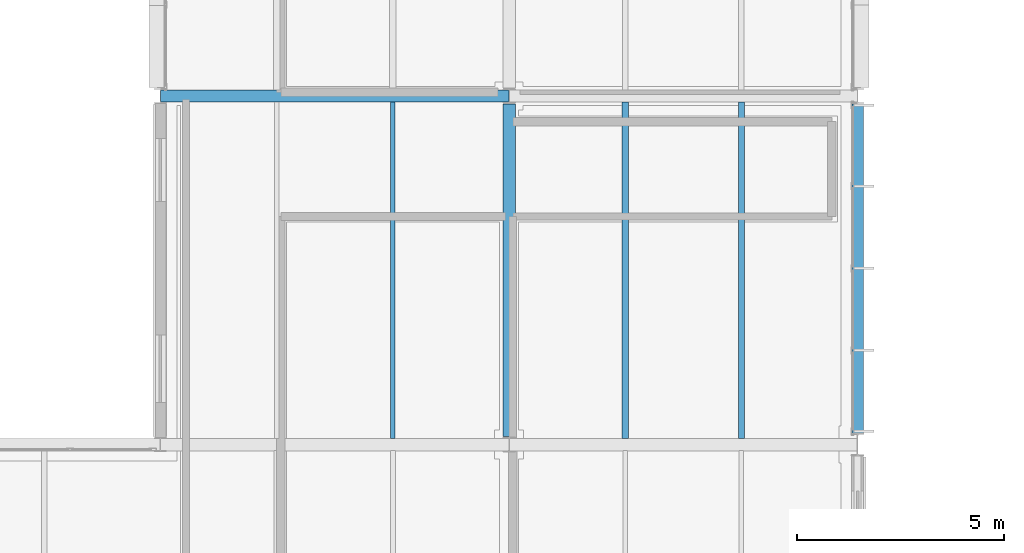
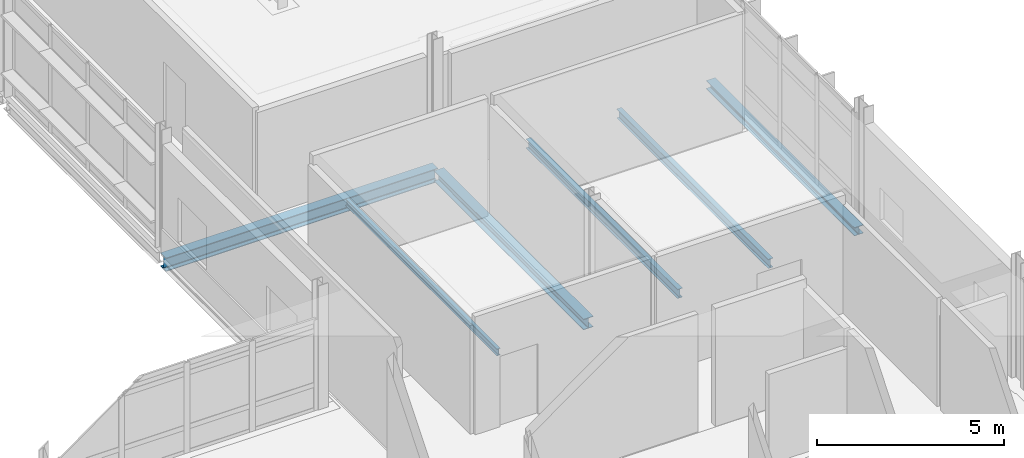
# One storey, part 71 of 131: 6 beams.
"""IFC4 building model written with IfcOpenShell, lengths in metres."""

from ifc_helpers import new_model, si_unit, direction, frame, origin, origin_2d, place, context, subcontext, project, spatial, i_section, extrude, material, material_profile, profile_set, type_object, element, save


model = new_model("IFC4")

# Units and contexts
model_context = context("Model", 3, precision=1e-05, world=origin(), true_north=direction((0.0, 1.0)))
body_context = subcontext(model_context, "Body", "Model", "MODEL_VIEW")
ifc_project = project(units=[si_unit("LENGTHUNIT", "METRE"), si_unit("AREAUNIT", "SQUARE_METRE"), si_unit("VOLUMEUNIT", "CUBIC_METRE"), si_unit("PLANEANGLEUNIT", "RADIAN"), si_unit("MASSUNIT", "GRAM", prefix="KILO")], contexts=[model_context])

# Site, building, storey
site_placement = place(None, origin())
site = spatial("IfcSite", under=ifc_project, at=site_placement, CompositionType="ELEMENT")
building_placement = place(site_placement, origin())
building = spatial("IfcBuilding", under=site, at=building_placement, Name="Mersafa Astral City Hall", CompositionType="ELEMENT")
storey_placement = place(building_placement, frame((0.0, 0.0, 13.949951171875)))
storey = spatial("IfcBuildingStorey", under=building, at=storey_placement, Name="L03", CompositionType="ELEMENT", Elevation=13.949951171875)

# Beams
ifc_material = material(Name="Steel S355", Category="steel")
ifc_material_profile_1 = material_profile(ifc_material, i_section(OverallWidth=0.300048828125, OverallDepth=0.35009765625, WebThickness=0.010009765625, FlangeThickness=0.017578125, FilletRadius=0.027099609375, at=origin_2d()), Name="HEA 360")
ifc_profile_set_1 = profile_set([ifc_material_profile_1], Name="Steel S355")
beam_type_1 = type_object("IfcBeamType", Name="STR-BM-HEA360", PredefinedType="BEAM", material=ifc_profile_set_1)
beam_1_placement = place(storey_placement, frame((109.199951171875, 92.594970703125, -0.375), z_axis=(0.0, 1.0, 0.0), x_axis=(-1.0, 0.0, 0.0)))
element("IfcBeam", 1, at=beam_1_placement, inside=storey, type_object=beam_type_1, Name="L03 Primary girder Y 13-11", PredefinedType="BEAM", context=body_context, shape_type="SweptSolid", body=[
    extrude(i_section(OverallWidth=0.300048828125, OverallDepth=0.35009765625, WebThickness=0.010009765625, FlangeThickness=0.017578125, FilletRadius=0.027099609375, at=origin_2d()), origin(), (0.0, 0.0, 1.0), 8.010009765625),
])
ifc_material_profile_2 = material_profile(ifc_material, i_section(OverallWidth=0.300048828125, OverallDepth=0.43994140625, WebThickness=0.011474609375, FlangeThickness=0.02099609375, FilletRadius=0.027099609375, at=origin_2d()), Name="HEA 450")
ifc_profile_set_2 = profile_set([ifc_material_profile_2], Name="Steel S355")
beam_type_2 = type_object("IfcBeamType", Name="STR-BM-HEA450", PredefinedType="BEAM", material=ifc_profile_set_2)
beam_2_placement = place(storey_placement, frame((100.802978515625, 100.800048828125, -0.419921875), z_axis=(1.0, 0.0, 0.0), x_axis=(0.0, 1.0, 0.0)))
element("IfcBeam", 2, at=beam_2_placement, inside=storey, type_object=beam_type_2, Name="L03 Primary girder X 12-12", PredefinedType="BEAM", context=body_context, shape_type="SweptSolid", body=[
    extrude(i_section(OverallWidth=0.300048828125, OverallDepth=0.43994140625, WebThickness=0.011474609375, FlangeThickness=0.02099609375, FilletRadius=0.027099609375, at=origin_2d()), origin(), (0.0, 0.0, 1.0), 8.39404296875),
])
ifc_material_profile_3 = material_profile(ifc_material, i_section(OverallWidth=0.110107421875, OverallDepth=0.219970703125, WebThickness=0.005859375, FlangeThickness=0.00927734375, FilletRadius=0.011962890625, at=origin_2d()), Name="IPE 220")
ifc_profile_set_3 = profile_set([ifc_material_profile_3], Name="Steel S355")
beam_type_3 = type_object("IfcBeamType", Name="STR-BM-JOIST-IPE220", PredefinedType="JOIST", material=ifc_profile_set_3)
beam_3_placement = place(storey_placement, frame((106.39990234375, 92.544921875, -0.31005859375), z_axis=(0.0, 1.0, 0.0), x_axis=(-1.0, 0.0, 0.0)))
element("IfcBeam", 3, at=beam_3_placement, inside=storey, type_object=beam_type_3, Name="L03 Composite secondary floor joist 599", PredefinedType="JOIST", context=body_context, shape_type="SweptSolid", body=[
    extrude(i_section(OverallWidth=0.110107421875, OverallDepth=0.219970703125, WebThickness=0.005859375, FlangeThickness=0.00927734375, FilletRadius=0.011962890625, at=origin_2d()), origin(), (0.0, 0.0, 1.0), 8.110107421875),
])
ifc_material_profile_4 = material_profile(ifc_material, i_section(OverallWidth=0.14990234375, OverallDepth=0.300048828125, WebThickness=0.007080078125, FlangeThickness=0.0107421875, FilletRadius=0.014892578125, at=origin_2d()), Name="IPE 300")
ifc_profile_set_4 = profile_set([ifc_material_profile_4], Name="Steel S355")
beam_type_4 = type_object("IfcBeamType", Name="STR-BM-JOIST-IPE300", PredefinedType="JOIST", material=ifc_profile_set_4)
for number, where, z_axis, x_axis, name in (
    (4, (112.0, 92.544921875, -0.349853515625), (0.0, 1.0, 0.0), (-1.0, 0.0, 0.0), "L03 Composite secondary floor joist 622"),
    (5, (114.800048828125, 92.544921875, -0.349853515625), (0.0, 1.0, 0.0), (-1.0, 0.0, 0.0), "L03 Composite secondary floor joist 623"),
):
    element("IfcBeam", number, at=place(storey_placement, frame(where, z_axis=z_axis, x_axis=x_axis)), inside=storey, type_object=beam_type_4, Name=name, PredefinedType="JOIST", context=body_context, shape_type="SweptSolid", body=[
        extrude(i_section(OverallWidth=0.14990234375, OverallDepth=0.300048828125, WebThickness=0.007080078125, FlangeThickness=0.0107421875, FilletRadius=0.014892578125, at=origin_2d()), origin(), (0.0, 0.0, 1.0), 8.110107421875),
    ])
ifc_material_profile_5 = material_profile(ifc_material, i_section(OverallWidth=0.280029296875, OverallDepth=0.27001953125, WebThickness=0.008056640625, FlangeThickness=0.012939453125, FilletRadius=0.02392578125, at=origin_2d()), Name="HEA 280")
ifc_profile_set_5 = profile_set([ifc_material_profile_5], Name="Steel S355")
beam_type_5 = type_object("IfcBeamType", Name="STR-BM-SPANDREL-HEA280", PredefinedType="SPANDREL", material=ifc_profile_set_5)
beam_4_placement = place(storey_placement, frame((117.60009765625, 92.669921875, -0.3349609375), z_axis=(0.0, 1.0, 0.0), x_axis=(-1.0, 0.0, 0.0)))
element("IfcBeam", 6, at=beam_4_placement, inside=storey, type_object=beam_type_5, Name="L03 Primary girder Y 14-11", PredefinedType="SPANDREL", context=body_context, shape_type="SweptSolid", body=[
    extrude(i_section(OverallWidth=0.280029296875, OverallDepth=0.27001953125, WebThickness=0.008056640625, FlangeThickness=0.012939453125, FilletRadius=0.02392578125, at=origin_2d()), origin(), (0.0, 0.0, 1.0), 7.93505859375),
])

save(model, "model.ifc")
